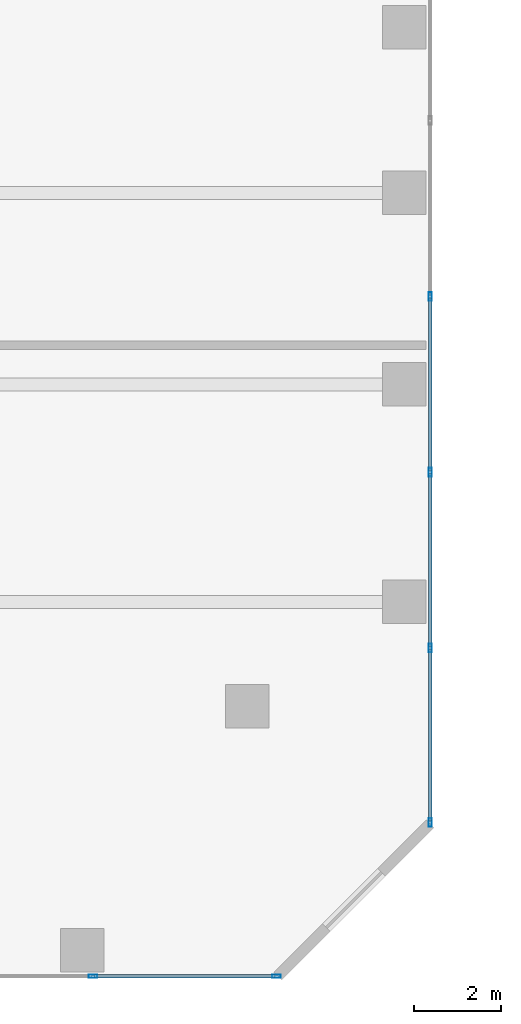
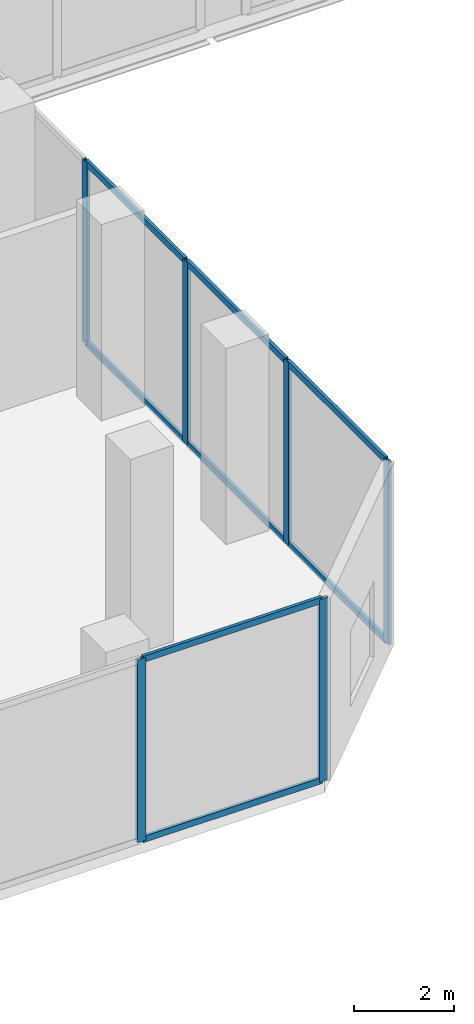
# One storey, part 5 of 24: 14 members, 2 elements without a shape of their own.
"""IFC4 building model written with IfcOpenShell, lengths in metres."""

from ifc_helpers import new_model, si_unit, direction, frame, origin, origin_2d, place, context, subcontext, project, spatial, hollow_rectangle, extrude, material, layer, layer_set, material_profile, profile_set, type_object, element, aggregate, save


model = new_model("IFC4")

# Units and contexts
model_context = context("Model", 3, precision=1e-05, world=origin(), true_north=direction((0.0, 1.0)))
body_context = subcontext(model_context, "Body", "Model", "MODEL_VIEW")
ifc_project = project(units=[si_unit("LENGTHUNIT", "METRE"), si_unit("AREAUNIT", "SQUARE_METRE"), si_unit("VOLUMEUNIT", "CUBIC_METRE"), si_unit("PLANEANGLEUNIT", "RADIAN"), si_unit("MASSUNIT", "GRAM", prefix="KILO")], contexts=[model_context])

# Site, building, storey
site_placement = place(None, origin())
site = spatial("IfcSite", under=ifc_project, at=site_placement, CompositionType="ELEMENT")
building_placement = place(site_placement, origin())
building = spatial("IfcBuilding", under=site, at=building_placement, Name="Catumbela Crestline Tower", CompositionType="ELEMENT")
storey_placement = place(building_placement, frame((0.0, 0.0, 11.1)))
storey = spatial("IfcBuildingStorey", under=building, at=storey_placement, Name="L02", CompositionType="ELEMENT", Elevation=11.1)

# Curtain wall, members
ifc_material = material(Name="Aluminium alloy AW-6060-T66", Category="aluminium")
ifc_layer = layer(ifc_material, 0.18, Name="Aluminium alloy AW-6060-T66")
ifc_layer_set = layer_set([ifc_layer], Name="Aluminium alloy AW-6060-T66")
curtain_wall_type = type_object("IfcCurtainWallType", Name="CWS-POD", PredefinedType="USERDEFINED", material=ifc_layer_set)
curtain_wall_1_placement = place(storey_placement, origin())
curtain_wall_1 = element("IfcCurtainWall", 1, at=curtain_wall_1_placement, inside=storey, type_object=curtain_wall_type, Name="L02 Stick Curtain Wall CW-L02-E0S1", ObjectType="STICK", PredefinedType="USERDEFINED")
ifc_material_profile_1 = material_profile(ifc_material, hollow_rectangle(XDim=0.075, YDim=0.2, WallThickness=0.005, at=origin_2d()), Name="ALU 200x75x5")
ifc_profile_set_1 = profile_set([ifc_material_profile_1], Name="Aluminium alloy AW-6060-T66")
member_type_1 = type_object("IfcMemberType", Name="MUL-200X75", PredefinedType="MULLION", material=ifc_profile_set_1)
member_1_placement = place(storey_placement, frame((16.25, 0.0, 0.0), z_axis=(0.0, 0.0, 1.0), x_axis=(0.0, 1.0, 0.0)))
member_1 = element("IfcMember", 2, at=member_1_placement, type_object=member_type_1, Name="CWS-POD mullion 4", PredefinedType="MULLION", context=body_context, shape_type="SweptSolid", body=[
    extrude(hollow_rectangle(XDim=0.075, YDim=0.2, WallThickness=0.005, at=origin_2d()), origin(), (0.0, 0.0, 1.0), 4.47),
])
member_2_placement = place(storey_placement, frame((20.4675, 0.0, 0.0), z_axis=(0.0, 0.0, 1.0), x_axis=(0.0, 1.0, 0.0)))
member_2 = element("IfcMember", 3, at=member_2_placement, type_object=member_type_1, Name="CWS-POD mullion 5", PredefinedType="MULLION", context=body_context, shape_type="SweptSolid", body=[
    extrude(hollow_rectangle(XDim=0.075, YDim=0.2, WallThickness=0.005, at=origin_2d()), origin(), (0.0, 0.0, 1.0), 4.47),
])

curtain_wall_2_placement = place(storey_placement, origin())
curtain_wall_2 = element("IfcCurtainWall", 4, at=curtain_wall_2_placement, inside=storey, type_object=curtain_wall_type, Name="L02 Stick Curtain Wall CW-L02-E2S1", ObjectType="STICK", PredefinedType="USERDEFINED")
member_3_placement = place(storey_placement, frame((24.0, 3.5325, 0.0), z_axis=(0.0, 0.0, 1.0), x_axis=(-1.0, 0.0, 0.0)))
member_3 = element("IfcMember", 5, at=member_3_placement, type_object=member_type_1, Name="CWS-POD mullion 1", PredefinedType="MULLION", context=body_context, shape_type="SweptSolid", body=[
    extrude(hollow_rectangle(XDim=0.075, YDim=0.2, WallThickness=0.005, at=origin_2d()), origin(), (0.0, 0.0, 1.0), 4.47),
])
member_4_placement = place(storey_placement, frame((24.0, 7.54, 0.0), z_axis=(0.0, 0.0, 1.0), x_axis=(-1.0, 0.0, 0.0)))
member_4 = element("IfcMember", 6, at=member_4_placement, type_object=member_type_1, Name="CWS-POD mullion 2", PredefinedType="MULLION", context=body_context, shape_type="SweptSolid", body=[
    extrude(hollow_rectangle(XDim=0.075, YDim=0.2, WallThickness=0.005, at=origin_2d()), origin(), (0.0, 0.0, 1.0), 4.47),
])
member_5_placement = place(storey_placement, frame((24.0, 11.58, 0.0), z_axis=(0.0, 0.0, 1.0), x_axis=(-1.0, 0.0, 0.0)))
member_5 = element("IfcMember", 7, at=member_5_placement, type_object=member_type_1, Name="CWS-POD mullion 3", PredefinedType="MULLION", context=body_context, shape_type="SweptSolid", body=[
    extrude(hollow_rectangle(XDim=0.075, YDim=0.2, WallThickness=0.005, at=origin_2d()), origin(), (0.0, 0.0, 1.0), 4.47),
])
member_6_placement = place(storey_placement, frame((24.0, 15.62, 0.0), z_axis=(0.0, 0.0, 1.0), x_axis=(-1.0, 0.0, 0.0)))
member_6 = element("IfcMember", 8, at=member_6_placement, type_object=member_type_1, Name="CWS-POD mullion 4", PredefinedType="MULLION", context=body_context, shape_type="SweptSolid", body=[
    extrude(hollow_rectangle(XDim=0.075, YDim=0.2, WallThickness=0.005, at=origin_2d()), origin(), (0.0, 0.0, 1.0), 4.47),
])

# Member
ifc_material_profile_2 = material_profile(ifc_material, hollow_rectangle(XDim=0.075, YDim=0.15, WallThickness=0.0045, at=origin_2d()), Name="ALU 150x75x4.5")
ifc_profile_set_2 = profile_set([ifc_material_profile_2], Name="Aluminium alloy AW-6060-T66")
member_type_2 = type_object("IfcMemberType", Name="TRN-150X75", PredefinedType="USERDEFINED", material=ifc_profile_set_2)
member_7_placement = place(storey_placement, frame((16.2825, 0.0, 0.03), z_axis=(1.0, 0.0, 0.0), x_axis=(0.0, 1.0, 0.0)))
member_7 = element("IfcMember", 9, at=member_7_placement, type_object=member_type_2, Name="CWS-POD transom 4.1", ObjectType="TRANSOM", PredefinedType="USERDEFINED", context=body_context, shape_type="SweptSolid", body=[
    extrude(hollow_rectangle(XDim=0.075, YDim=0.15, WallThickness=0.0045, at=origin_2d()), origin(), (0.0, 0.0, 1.0), 4.1525),
])

member_8_placement = place(storey_placement, frame((16.2825, 0.0, 4.44), z_axis=(1.0, 0.0, 0.0), x_axis=(0.0, 1.0, 0.0)))
member_8 = element("IfcMember", 10, at=member_8_placement, type_object=member_type_2, Name="CWS-POD transom 4.2", ObjectType="TRANSOM", PredefinedType="USERDEFINED", context=body_context, shape_type="SweptSolid", body=[
    extrude(hollow_rectangle(XDim=0.075, YDim=0.15, WallThickness=0.0045, at=origin_2d()), origin(), (0.0, 0.0, 1.0), 4.1525),
])

aggregate(curtain_wall_1, [member_1, member_2, member_7, member_8])

member_9_placement = place(storey_placement, frame((24.0, 3.565, 0.03), z_axis=(0.0, 1.0, 0.0), x_axis=(-1.0, 0.0, 0.0)))
member_9 = element("IfcMember", 11, at=member_9_placement, type_object=member_type_2, Name="CWS-POD transom 1.1", ObjectType="TRANSOM", PredefinedType="USERDEFINED", context=body_context, shape_type="SweptSolid", body=[
    extrude(hollow_rectangle(XDim=0.075, YDim=0.15, WallThickness=0.0045, at=origin_2d()), origin(), (0.0, 0.0, 1.0), 3.9425),
])

member_10_placement = place(storey_placement, frame((24.0, 3.565, 4.44), z_axis=(0.0, 1.0, 0.0), x_axis=(-1.0, 0.0, 0.0)))
member_10 = element("IfcMember", 12, at=member_10_placement, type_object=member_type_2, Name="CWS-POD transom 1.2", ObjectType="TRANSOM", PredefinedType="USERDEFINED", context=body_context, shape_type="SweptSolid", body=[
    extrude(hollow_rectangle(XDim=0.075, YDim=0.15, WallThickness=0.0045, at=origin_2d()), origin(), (0.0, 0.0, 1.0), 3.9425),
])

member_11_placement = place(storey_placement, frame((24.0, 7.5725, 0.03), z_axis=(0.0, 1.0, 0.0), x_axis=(-1.0, 0.0, 0.0)))
member_11 = element("IfcMember", 13, at=member_11_placement, type_object=member_type_2, Name="CWS-POD transom 2.1", ObjectType="TRANSOM", PredefinedType="USERDEFINED", context=body_context, shape_type="SweptSolid", body=[
    extrude(hollow_rectangle(XDim=0.075, YDim=0.15, WallThickness=0.0045, at=origin_2d()), origin(), (0.0, 0.0, 1.0), 3.975),
])

member_12_placement = place(storey_placement, frame((24.0, 7.5725, 4.44), z_axis=(0.0, 1.0, 0.0), x_axis=(-1.0, 0.0, 0.0)))
member_12 = element("IfcMember", 14, at=member_12_placement, type_object=member_type_2, Name="CWS-POD transom 2.2", ObjectType="TRANSOM", PredefinedType="USERDEFINED", context=body_context, shape_type="SweptSolid", body=[
    extrude(hollow_rectangle(XDim=0.075, YDim=0.15, WallThickness=0.0045, at=origin_2d()), origin(), (0.0, 0.0, 1.0), 3.975),
])

member_13_placement = place(storey_placement, frame((24.0, 11.6125, 0.03), z_axis=(0.0, 1.0, 0.0), x_axis=(-1.0, 0.0, 0.0)))
member_13 = element("IfcMember", 15, at=member_13_placement, type_object=member_type_2, Name="CWS-POD transom 3.1", ObjectType="TRANSOM", PredefinedType="USERDEFINED", context=body_context, shape_type="SweptSolid", body=[
    extrude(hollow_rectangle(XDim=0.075, YDim=0.15, WallThickness=0.0045, at=origin_2d()), origin(), (0.0, 0.0, 1.0), 3.975),
])

member_14_placement = place(storey_placement, frame((24.0, 11.6125, 4.44), z_axis=(0.0, 1.0, 0.0), x_axis=(-1.0, 0.0, 0.0)))
member_14 = element("IfcMember", 16, at=member_14_placement, type_object=member_type_2, Name="CWS-POD transom 3.2", ObjectType="TRANSOM", PredefinedType="USERDEFINED", context=body_context, shape_type="SweptSolid", body=[
    extrude(hollow_rectangle(XDim=0.075, YDim=0.15, WallThickness=0.0045, at=origin_2d()), origin(), (0.0, 0.0, 1.0), 3.975),
])

aggregate(curtain_wall_2, [member_3, member_4, member_5, member_6, member_9, member_10, member_11, member_12, member_13, member_14])

save(model, "model.ifc")
